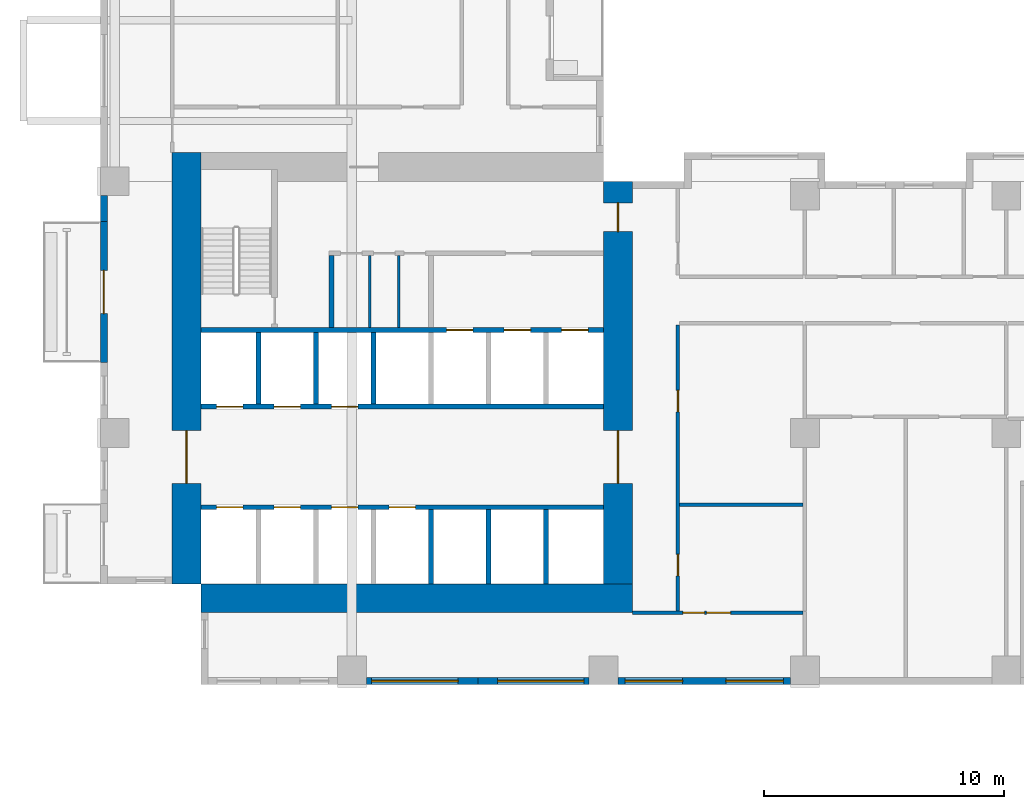
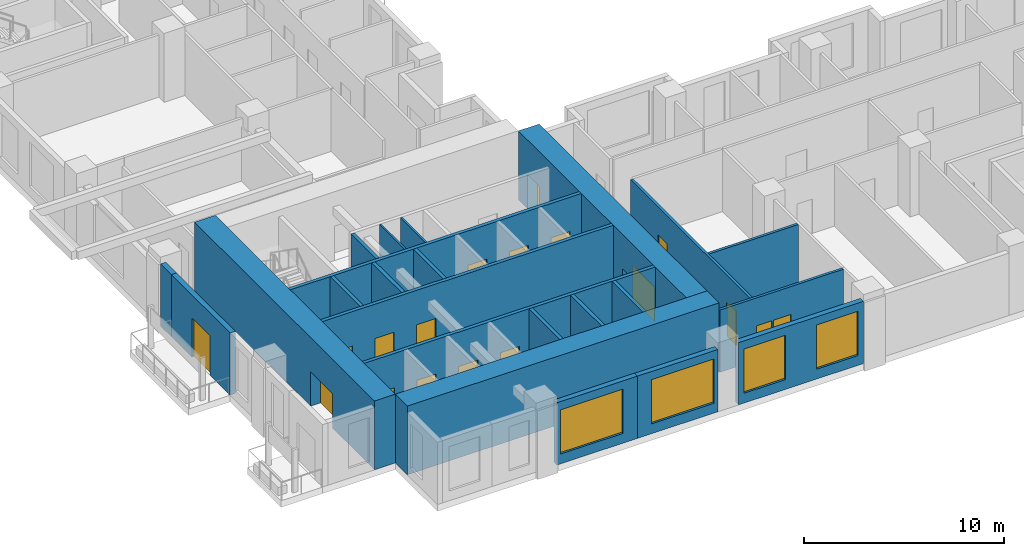
# One storey, part 2 of 14: 23 walls, 18 doors, 4 windows, 22 openings.
"""IFC4 building model written with IfcOpenShell, lengths in metres."""

from ifc_helpers import new_model, si_unit, direction, frame, frame_2d, origin, place, context, subcontext, project, spatial, rectangle, extrude, source, transform, mapped, material, layer, layer_set, type_object, element, fill, save


model = new_model("IFC4")

# Units and contexts
model_context = context("Model", 3, precision=1e-05, world=origin(), true_north=direction((0.0, 1.0)))
body_context = subcontext(model_context, "Body", "Model", "MODEL_VIEW")
ifc_project = project(units=[si_unit("LENGTHUNIT", "METRE"), si_unit("AREAUNIT", "SQUARE_METRE"), si_unit("VOLUMEUNIT", "CUBIC_METRE"), si_unit("PLANEANGLEUNIT", "RADIAN"), si_unit("MASSUNIT", "GRAM", prefix="KILO")], contexts=[model_context])

# Site, building, storey
site_placement = place(None, origin())
site = spatial("IfcSite", under=ifc_project, at=site_placement, CompositionType="ELEMENT")
building_placement = place(site_placement, origin())
building = spatial("IfcBuilding", under=site, at=building_placement, Name="Aurelian Terraces", CompositionType="ELEMENT")
storey_placement = place(building_placement, frame((0.0, 0.0, 40.5)))
storey = spatial("IfcBuildingStorey", under=building, at=storey_placement, Name="L07", CompositionType="ELEMENT", Elevation=40.5)

# Wall, opening, door
ifc_material_1 = material(Name="Concrete fc' 83 MPa", Category="concrete")
ifc_layer_1 = layer(ifc_material_1, 1.2)
ifc_layer_set_1 = layer_set([ifc_layer_1], Name="CORE WALL 1200 FC83")
wall_type_1 = type_object("IfcWallType", Name="CORE WALL 1200 FC83", PredefinedType="SHEAR", material=ifc_layer_set_1)
wall_1_placement = place(storey_placement, frame((3.6, 4.2, 0.0), z_axis=(0.0, 0.0, 1.0), x_axis=(0.0, 1.0, 0.0)))
wall_1 = element("IfcWall", 1, at=wall_1_placement, inside=storey, type_object=wall_type_1, Name="Core wall W L07", PredefinedType="SHEAR", context=body_context, shape_type="SweptSolid", body=[
    extrude(rectangle(XDim=18.0, YDim=1.2, at=frame_2d((9.0, 0.0))), origin(), (0.0, 0.0, 1.0), 4.2),
])
shared_shape_1 = source(origin(), body_context, "Body", "SweptSolid", [
    extrude(rectangle(XDim=2.2, YDim=2.1, at=frame_2d((1.1, 1.05))), frame((0.0, 0.61, 0.0), z_axis=(0.0, -1.0, 0.0), x_axis=(1.0, 0.0, 0.0)), (0.0, 0.0, 1.0), 1.22),
])
opening_1_placement = place(wall_1_placement, frame((4.2, 0.0, 0.0)))
opening_1 = element("IfcOpeningElement", 2, at=opening_1_placement, cuts=wall_1, Name="Opening 61022", PredefinedType="OPENING", context=body_context, shape_type="MappedRepresentation", body=[
    mapped(shared_shape_1, transform((0.0, 0.0, 0.0), scale=1.0)),
])
ifc_material_2 = material(Name="Steel door leaf", Category="steel")
door_type_1 = type_object("IfcDoorType", Name="Core double door 2200x2100", OperationType="DOUBLE_DOOR_SINGLE_SWING", PredefinedType="DOOR", material=ifc_material_2)
shared_shape_2 = source(origin(), body_context, "Body", "SweptSolid", [
    extrude(rectangle(XDim=2.2, YDim=2.1, at=frame_2d((1.1, 1.05))), frame((0.0, 0.025, 0.0), z_axis=(0.0, -1.0, 0.0), x_axis=(1.0, 0.0, 0.0)), (0.0, 0.0, 1.0), 0.05),
])
door_1_placement = place(opening_1_placement, origin())
door_1 = element("IfcDoor", 3, at=door_1_placement, inside=storey, type_object=door_type_1, Name="Core door 61022", OperationType="DOUBLE_DOOR_SINGLE_SWING", OverallHeight=2.1, OverallWidth=2.2, PredefinedType="DOOR", context=body_context, shape_type="MappedRepresentation", body=[
    mapped(shared_shape_2, transform((0.0, 0.0, 0.0), scale=1.0)),
])
fill(opening_1, door_1)

# Wall, openings, doors
wall_2_placement = place(storey_placement, frame((21.6, 4.2, 0.0), z_axis=(0.0, 0.0, 1.0), x_axis=(0.0, 1.0, 0.0)))
wall_2 = element("IfcWall", 4, at=wall_2_placement, inside=storey, type_object=wall_type_1, Name="Core wall E L07", PredefinedType="SHEAR", context=body_context, shape_type="SweptSolid", body=[
    extrude(rectangle(XDim=16.8, YDim=1.2, at=frame_2d((8.4, 0.0))), origin(), (0.0, 0.0, 1.0), 4.2),
])
opening_2_placement = place(wall_2_placement, frame((4.2, 0.0, 0.0)))
opening_2 = element("IfcOpeningElement", 5, at=opening_2_placement, cuts=wall_2, Name="Opening 61021", PredefinedType="OPENING", context=body_context, shape_type="MappedRepresentation", body=[
    mapped(shared_shape_1, transform((0.0, 0.0, 0.0), scale=1.0)),
])
shared_shape_3 = source(origin(), body_context, "Body", "SweptSolid", [
    extrude(rectangle(XDim=1.2, YDim=2.1, at=frame_2d((0.6, 1.05))), frame((0.0, 0.61, 0.0), z_axis=(0.0, -1.0, 0.0), x_axis=(1.0, 0.0, 0.0)), (0.0, 0.0, 1.0), 1.22),
])
opening_3_placement = place(wall_2_placement, frame((14.7, 0.0, 0.0)))
opening_3 = element("IfcOpeningElement", 6, at=opening_3_placement, cuts=wall_2, Name="Opening 61024", PredefinedType="OPENING", context=body_context, shape_type="MappedRepresentation", body=[
    mapped(shared_shape_3, transform((0.0, 0.0, 0.0), scale=1.0)),
])
door_type_2 = type_object("IfcDoorType", Name="Core fire door 1200x2100 right", OperationType="SINGLE_SWING_RIGHT", PredefinedType="DOOR", material=ifc_material_2)
shared_shape_4 = source(origin(), body_context, "Body", "SweptSolid", [
    extrude(rectangle(XDim=1.2, YDim=2.1, at=frame_2d((0.6, 1.05))), frame((0.0, 0.025, 0.0), z_axis=(0.0, -1.0, 0.0), x_axis=(1.0, 0.0, 0.0)), (0.0, 0.0, 1.0), 0.05),
])
door_2_placement = place(opening_3_placement, origin())
door_2 = element("IfcDoor", 7, at=door_2_placement, inside=storey, type_object=door_type_2, Name="Core door 61024", OperationType="SINGLE_SWING_RIGHT", OverallHeight=2.1, OverallWidth=1.2, PredefinedType="DOOR", context=body_context, shape_type="MappedRepresentation", body=[
    mapped(shared_shape_4, transform((0.0, 0.0, 0.0), scale=1.0)),
])
fill(opening_3, door_2)
door_3_placement = place(opening_2_placement, origin())
door_3 = element("IfcDoor", 8, at=door_3_placement, inside=storey, type_object=door_type_1, Name="Core door 61021", OperationType="DOUBLE_DOOR_SINGLE_SWING", OverallHeight=2.1, OverallWidth=2.2, PredefinedType="DOOR", context=body_context, shape_type="MappedRepresentation", body=[
    mapped(shared_shape_2, transform((0.0, 0.0, 0.0), scale=1.0)),
])
fill(opening_2, door_3)

# Walls
ifc_material_3 = material(Name="Gypsum board on steel studs", Category="steel")
ifc_layer_2 = layer(ifc_material_3, 0.1)
ifc_layer_set_2 = layer_set([ifc_layer_2], Name="Core partition 100")
wall_type_2 = type_object("IfcWallType", Name="Core partition 100", PredefinedType="PARTITIONING", material=ifc_layer_set_2)
wall_3_placement = place(storey_placement, frame((11.25, 14.9, 0.0), z_axis=(0.0, 0.0, 1.0), x_axis=(0.0, 1.0, 0.0)))
element("IfcWall", 9, at=wall_3_placement, inside=storey, type_object=wall_type_2, Name="L07 core wall CP-SV1", PredefinedType="PARTITIONING", context=body_context, shape_type="SweptSolid", body=[
    extrude(rectangle(XDim=3.0, YDim=0.1, at=frame_2d((1.5, 0.0))), origin(), (0.0, 0.0, 1.0), 3.8),
])
ifc_layer_3 = layer(ifc_material_3, 0.2)
ifc_layer_set_3 = layer_set([ifc_layer_3], Name="Core partition 200")
wall_type_3 = type_object("IfcWallType", Name="Core partition 200", PredefinedType="PARTITIONING", material=ifc_layer_set_3)
wall_4_placement = place(storey_placement, frame((9.65, 14.9, 0.0), z_axis=(0.0, 0.0, 1.0), x_axis=(0.0, 1.0, 0.0)))
element("IfcWall", 10, at=wall_4_placement, inside=storey, type_object=wall_type_3, Name="L07 core wall CP-VEST", PredefinedType="PARTITIONING", context=body_context, shape_type="SweptSolid", body=[
    extrude(rectangle(XDim=3.0, YDim=0.2, at=frame_2d((1.5, 0.0))), origin(), (0.0, 0.0, 1.0), 3.8),
])

# Wall, opening, window
ifc_material_4 = material(Name="Terracotta rainscreen cladding", Category="masonry")
ifc_layer_4 = layer(ifc_material_4, 0.3)
ifc_layer_set_4 = layer_set([ifc_layer_4], Name="EW-300")
wall_type_4 = type_object("IfcWallType", Name="EW-300", PredefinedType="STANDARD", material=ifc_layer_set_4)
wall_5_placement = place(storey_placement, frame((11.1, 0.15, 0.0), z_axis=(0.0, 0.0, 1.0), x_axis=(1.0, 0.0, 0.0)))
wall_5 = element("IfcWall", 11, at=wall_5_placement, inside=storey, type_object=wall_type_4, Name="External wall L07 F01.3", PredefinedType="STANDARD", context=body_context, shape_type="SweptSolid", body=[
    extrude(rectangle(XDim=4.65, YDim=0.3, at=frame_2d((2.325, 0.0))), origin(), (0.0, 0.0, 1.0), 3.8),
])
opening_4_placement = place(wall_5_placement, frame((0.225, 0.0, 0.6)))
opening_4 = element("IfcOpeningElement", 12, at=opening_4_placement, cuts=wall_5, Name="Opening W3627", PredefinedType="OPENING", context=body_context, shape_type="SweptSolid", body=[
    extrude(rectangle(XDim=3.6, YDim=2.7, at=frame_2d((1.8, 1.35))), frame((0.0, 0.16, 0.0), z_axis=(0.0, -1.0, 0.0), x_axis=(1.0, 0.0, 0.0)), (0.0, 0.0, 1.0), 0.32),
])
ifc_material_5 = material(Name="Clear glazing", Category="glass")
window_type_1 = type_object("IfcWindowType", Name="W-3600x2700", PartitioningType="SINGLE_PANEL", PredefinedType="WINDOW", material=ifc_material_5)
window_1_placement = place(opening_4_placement, origin())
window_1 = element("IfcWindow", 13, at=window_1_placement, inside=storey, type_object=window_type_1, Name="Window L07 L07-F01-03-0", OverallHeight=2.7, OverallWidth=3.6, PartitioningType="SINGLE_PANEL", PredefinedType="WINDOW", context=body_context, shape_type="SweptSolid", body=[
    extrude(rectangle(XDim=3.6, YDim=2.7, at=frame_2d((1.8, 1.35))), frame((0.0, 0.03, 0.0), z_axis=(0.0, -1.0, 0.0), x_axis=(1.0, 0.0, 0.0)), (0.0, 0.0, 1.0), 0.06),
])
fill(opening_4, window_1)

# Wall, openings, windows
wall_6_placement = place(storey_placement, frame((21.6, 0.15, 0.0), z_axis=(0.0, 0.0, 1.0), x_axis=(1.0, 0.0, 0.0)))
wall_6 = element("IfcWall", 14, at=wall_6_placement, inside=storey, type_object=wall_type_4, Name="External wall L07 F01.5", PredefinedType="STANDARD", context=body_context, shape_type="SweptSolid", body=[
    extrude(rectangle(XDim=7.2, YDim=0.3, at=frame_2d((3.6, 0.0))), origin(), (0.0, 0.0, 1.0), 3.8),
])
opening_5_placement = place(wall_6_placement, frame((0.3, 0.0, 0.6)))
opening_5 = element("IfcOpeningElement", 15, at=opening_5_placement, cuts=wall_6, Name="Opening W2427", PredefinedType="OPENING", context=body_context, shape_type="SweptSolid", body=[
    extrude(rectangle(XDim=2.4, YDim=2.7, at=frame_2d((1.2, 1.35))), frame((0.0, 0.16, 0.0), z_axis=(0.0, -1.0, 0.0), x_axis=(1.0, 0.0, 0.0)), (0.0, 0.0, 1.0), 0.32),
])
shared_shape_5 = source(origin(), body_context, "Body", "SweptSolid", [
    extrude(rectangle(XDim=2.4, YDim=2.7, at=frame_2d((1.2, 1.35))), frame((0.0, 0.16, 0.0), z_axis=(0.0, -1.0, 0.0), x_axis=(1.0, 0.0, 0.0)), (0.0, 0.0, 1.0), 0.32),
])
opening_6_placement = place(wall_6_placement, frame((4.5, 0.0, 0.6)))
opening_6 = element("IfcOpeningElement", 16, at=opening_6_placement, cuts=wall_6, Name="Opening W2427", PredefinedType="OPENING", context=body_context, shape_type="MappedRepresentation", body=[
    mapped(shared_shape_5, transform((0.0, 0.0, 0.0), scale=1.0)),
])
window_type_2 = type_object("IfcWindowType", Name="W-2400x2700", PartitioningType="SINGLE_PANEL", PredefinedType="WINDOW", material=ifc_material_5)
window_2_placement = place(opening_5_placement, origin())
window_2 = element("IfcWindow", 17, at=window_2_placement, inside=storey, type_object=window_type_2, Name="Window L07 L07-F01-05-0", OverallHeight=2.7, OverallWidth=2.4, PartitioningType="SINGLE_PANEL", PredefinedType="WINDOW", context=body_context, shape_type="SweptSolid", body=[
    extrude(rectangle(XDim=2.4, YDim=2.7, at=frame_2d((1.2, 1.35))), frame((0.0, 0.03, 0.0), z_axis=(0.0, -1.0, 0.0), x_axis=(1.0, 0.0, 0.0)), (0.0, 0.0, 1.0), 0.06),
])
fill(opening_5, window_2)
shared_shape_6 = source(origin(), body_context, "Body", "SweptSolid", [
    extrude(rectangle(XDim=2.4, YDim=2.7, at=frame_2d((1.2, 1.35))), frame((0.0, 0.03, 0.0), z_axis=(0.0, -1.0, 0.0), x_axis=(1.0, 0.0, 0.0)), (0.0, 0.0, 1.0), 0.06),
])
window_3_placement = place(opening_6_placement, origin())
window_3 = element("IfcWindow", 18, at=window_3_placement, inside=storey, type_object=window_type_2, Name="Window L07 L07-F01-05-1", OverallHeight=2.7, OverallWidth=2.4, PartitioningType="SINGLE_PANEL", PredefinedType="WINDOW", context=body_context, shape_type="MappedRepresentation", body=[
    mapped(shared_shape_6, transform((0.0, 0.0, 0.0), scale=1.0)),
])
fill(opening_6, window_3)

# Walls
wall_7_placement = place(storey_placement, frame((0.15, 20.4, 0.0), z_axis=(0.0, 0.0, 1.0), x_axis=(0.0, -1.0, 0.0)))
element("IfcWall", 19, at=wall_7_placement, inside=storey, type_object=wall_type_4, Name="External wall L07 F14.44", PredefinedType="STANDARD", context=body_context, shape_type="SweptSolid", body=[
    extrude(rectangle(XDim=1.08, YDim=0.3, at=frame_2d((0.54, 0.0))), origin(), (0.0, 0.0, 1.0), 3.8),
])
ifc_material_6 = material(Name="Concrete fc' 40 MPa", Category="concrete")
ifc_layer_5 = layer(ifc_material_6, 0.2)
ifc_layer_set_5 = layer_set([ifc_layer_5], Name="Lift shaft wall 200")
wall_type_5 = type_object("IfcWallType", Name="Lift shaft wall 200", PredefinedType="SOLIDWALL", material=ifc_layer_set_5)
wall_8_placement = place(storey_placement, frame((6.6, 11.7, 0.0), z_axis=(0.0, 0.0, 1.0), x_axis=(0.0, 1.0, 0.0)))
element("IfcWall", 20, at=wall_8_placement, inside=storey, type_object=wall_type_5, Name="L07 core wall CD-B1", PredefinedType="SOLIDWALL", context=body_context, shape_type="SweptSolid", body=[
    extrude(rectangle(XDim=3.0, YDim=0.2, at=frame_2d((1.5, 0.0))), origin(), (0.0, 0.0, 1.0), 4.2),
])

# Wall, openings, doors
wall_9_placement = place(storey_placement, frame((4.2, 7.4, 0.0), z_axis=(0.0, 0.0, 1.0), x_axis=(1.0, 0.0, 0.0)))
wall_9 = element("IfcWall", 21, at=wall_9_placement, inside=storey, type_object=wall_type_5, Name="L07 core wall CF-AF1", PredefinedType="SOLIDWALL", context=body_context, shape_type="SweptSolid", body=[
    extrude(rectangle(XDim=16.8, YDim=0.2, at=frame_2d((8.4, 0.0))), origin(), (0.0, 0.0, 1.0), 4.2),
])
shared_shape_7 = source(origin(), body_context, "Body", "SweptSolid", [
    extrude(rectangle(XDim=1.1, YDim=2.1, at=frame_2d((0.55, 1.05))), frame((0.0, 0.11, 0.0), z_axis=(0.0, -1.0, 0.0), x_axis=(1.0, 0.0, 0.0)), (0.0, 0.0, 1.0), 0.22),
])
opening_7_placement = place(wall_9_placement, frame((0.65, 0.0, 0.0)))
opening_7 = element("IfcOpeningElement", 22, at=opening_7_placement, cuts=wall_9, Name="Opening 61000", PredefinedType="OPENING", context=body_context, shape_type="MappedRepresentation", body=[
    mapped(shared_shape_7, transform((0.0, 0.0, 0.0), scale=1.0)),
])
opening_8_placement = place(wall_9_placement, frame((3.05, 0.0, 0.0)))
opening_8 = element("IfcOpeningElement", 23, at=opening_8_placement, cuts=wall_9, Name="Opening 61001", PredefinedType="OPENING", context=body_context, shape_type="MappedRepresentation", body=[
    mapped(shared_shape_7, transform((0.0, 0.0, 0.0), scale=1.0)),
])
opening_9_placement = place(wall_9_placement, frame((5.45, 0.0, 0.0)))
opening_9 = element("IfcOpeningElement", 24, at=opening_9_placement, cuts=wall_9, Name="Opening 61002", PredefinedType="OPENING", context=body_context, shape_type="MappedRepresentation", body=[
    mapped(shared_shape_7, transform((0.0, 0.0, 0.0), scale=1.0)),
])
opening_10_placement = place(wall_9_placement, frame((7.85, 0.0, 0.0)))
opening_10 = element("IfcOpeningElement", 25, at=opening_10_placement, cuts=wall_9, Name="Opening 61003", PredefinedType="OPENING", context=body_context, shape_type="MappedRepresentation", body=[
    mapped(shared_shape_7, transform((0.0, 0.0, 0.0), scale=1.0)),
])
ifc_material_7 = material(Name="Stainless steel", Category="steel")
door_type_3 = type_object("IfcDoorType", Name="Lift landing door 1100x2100", OperationType="SLIDING_TO_LEFT", PredefinedType="DOOR", material=ifc_material_7)
shared_shape_8 = source(origin(), body_context, "Body", "SweptSolid", [
    extrude(rectangle(XDim=1.1, YDim=2.1, at=frame_2d((0.55, 1.05))), frame((0.0, 0.025, 0.0), z_axis=(0.0, -1.0, 0.0), x_axis=(1.0, 0.0, 0.0)), (0.0, 0.0, 1.0), 0.05),
])
door_4_placement = place(opening_7_placement, origin())
door_4 = element("IfcDoor", 26, at=door_4_placement, inside=storey, type_object=door_type_3, Name="Lift landing door LL1 L07", OperationType="SLIDING_TO_LEFT", OverallHeight=2.1, OverallWidth=1.1, PredefinedType="DOOR", context=body_context, shape_type="MappedRepresentation", body=[
    mapped(shared_shape_8, transform((0.0, 0.0, 0.0), scale=1.0)),
])
fill(opening_7, door_4)
door_5_placement = place(opening_8_placement, origin())
door_5 = element("IfcDoor", 27, at=door_5_placement, inside=storey, type_object=door_type_3, Name="Lift landing door LL2 L07", OperationType="SLIDING_TO_LEFT", OverallHeight=2.1, OverallWidth=1.1, PredefinedType="DOOR", context=body_context, shape_type="MappedRepresentation", body=[
    mapped(shared_shape_8, transform((0.0, 0.0, 0.0), scale=1.0)),
])
fill(opening_8, door_5)
door_6_placement = place(opening_9_placement, origin())
door_6 = element("IfcDoor", 28, at=door_6_placement, inside=storey, type_object=door_type_3, Name="Lift landing door LL3 L07", OperationType="SLIDING_TO_LEFT", OverallHeight=2.1, OverallWidth=1.1, PredefinedType="DOOR", context=body_context, shape_type="MappedRepresentation", body=[
    mapped(shared_shape_8, transform((0.0, 0.0, 0.0), scale=1.0)),
])
fill(opening_9, door_6)
door_7_placement = place(opening_10_placement, origin())
door_7 = element("IfcDoor", 29, at=door_7_placement, inside=storey, type_object=door_type_3, Name="Lift landing door LL4 L07", OperationType="SLIDING_TO_LEFT", OverallHeight=2.1, OverallWidth=1.1, PredefinedType="DOOR", context=body_context, shape_type="MappedRepresentation", body=[
    mapped(shared_shape_8, transform((0.0, 0.0, 0.0), scale=1.0)),
])
fill(opening_10, door_7)

ifc_layer_6 = layer(ifc_material_3, 0.15)
ifc_layer_set_6 = layer_set([ifc_layer_6], Name="Partition 150")
wall_type_6 = type_object("IfcWallType", Name="Partition 150", PredefinedType="PARTITIONING", material=ifc_layer_set_6)
wall_10_placement = place(storey_placement, frame((24.1, 15.0, 0.0), z_axis=(0.0, 0.0, 1.0), x_axis=(0.0, -1.0, 0.0)))
wall_10 = element("IfcWall", 30, at=wall_10_placement, inside=storey, type_object=wall_type_6, Name="Partition", PredefinedType="PARTITIONING", context=body_context, shape_type="SweptSolid", body=[
    extrude(rectangle(XDim=11.925, YDim=0.15, at=frame_2d((5.9625, 0.0))), origin(), (0.0, 0.0, 1.0), 3.8),
])
opening_11_placement = place(wall_10_placement, frame((9.5625, 0.0, 0.0)))
opening_11 = element("IfcOpeningElement", 31, at=opening_11_placement, cuts=wall_10, Name="Opening 707001", PredefinedType="OPENING", context=body_context, shape_type="SweptSolid", body=[
    extrude(rectangle(XDim=0.9, YDim=2.1, at=frame_2d((0.45, 1.05))), frame((0.0, 0.085, 0.0), z_axis=(0.0, -1.0, 0.0), x_axis=(1.0, 0.0, 0.0)), (0.0, 0.0, 1.0), 0.17),
])
shared_shape_9 = source(origin(), body_context, "Body", "SweptSolid", [
    extrude(rectangle(XDim=0.9, YDim=2.1, at=frame_2d((0.45, 1.05))), frame((0.0, 0.085, 0.0), z_axis=(0.0, -1.0, 0.0), x_axis=(1.0, 0.0, 0.0)), (0.0, 0.0, 1.0), 0.17),
])
opening_12_placement = place(wall_10_placement, frame((2.725, 0.0, 0.0)))
opening_12 = element("IfcOpeningElement", 32, at=opening_12_placement, cuts=wall_10, Name="Opening 707002", PredefinedType="OPENING", context=body_context, shape_type="MappedRepresentation", body=[
    mapped(shared_shape_9, transform((0.0, 0.0, 0.0), scale=1.0)),
])
ifc_material_8 = material(Name="Timber door leaf", Category="wood")
door_type_4 = type_object("IfcDoorType", Name="Room door 900x2100 left", OperationType="SINGLE_SWING_LEFT", PredefinedType="DOOR", material=ifc_material_8)
shared_shape_10 = source(origin(), body_context, "Body", "SweptSolid", [
    extrude(rectangle(XDim=0.9, YDim=2.1, at=frame_2d((0.45, 1.05))), frame((0.0, 0.025, 0.0), z_axis=(0.0, -1.0, 0.0), x_axis=(1.0, 0.0, 0.0)), (0.0, 0.0, 1.0), 0.05),
])
door_8_placement = place(opening_11_placement, origin())
door_8 = element("IfcDoor", 33, at=door_8_placement, inside=storey, type_object=door_type_4, Name="Door 707001", OperationType="SINGLE_SWING_LEFT", OverallHeight=2.1, OverallWidth=0.9, PredefinedType="DOOR", context=body_context, shape_type="MappedRepresentation", body=[
    mapped(shared_shape_10, transform((0.0, 0.0, 0.0), scale=1.0)),
])
fill(opening_11, door_8)
door_type_5 = type_object("IfcDoorType", Name="Room door 900x2100 right", OperationType="SINGLE_SWING_RIGHT", PredefinedType="DOOR", material=ifc_material_8)
door_9_placement = place(opening_12_placement, origin())
door_9 = element("IfcDoor", 34, at=door_9_placement, inside=storey, type_object=door_type_5, Name="Door 707002", OperationType="SINGLE_SWING_RIGHT", OverallHeight=2.1, OverallWidth=0.9, PredefinedType="DOOR", context=body_context, shape_type="MappedRepresentation", body=[
    mapped(shared_shape_10, transform((0.0, 0.0, 0.0), scale=1.0)),
])
fill(opening_12, door_9)

# Wall
wall_11_placement = place(storey_placement, frame((29.325, 7.5, 0.0), z_axis=(0.0, 0.0, 1.0), x_axis=(-1.0, 0.0, 0.0)))
element("IfcWall", 35, at=wall_11_placement, inside=storey, type_object=wall_type_6, Name="Partition", PredefinedType="PARTITIONING", context=body_context, shape_type="SweptSolid", body=[
    extrude(rectangle(XDim=5.15, YDim=0.15, at=frame_2d((2.575, 0.0))), origin(), (0.0, 0.0, 1.0), 3.8),
])

# Wall, openings, doors
wall_12_placement = place(storey_placement, frame((22.2, 3.0, 0.0), z_axis=(0.0, 0.0, 1.0), x_axis=(1.0, 0.0, 0.0)))
wall_12 = element("IfcWall", 36, at=wall_12_placement, inside=storey, type_object=wall_type_6, Name="Partition", PredefinedType="PARTITIONING", context=body_context, shape_type="SweptSolid", body=[
    extrude(rectangle(XDim=7.125, YDim=0.15, at=frame_2d((3.5625, 0.0))), origin(), (0.0, 0.0, 1.0), 3.8),
])
opening_13_placement = place(wall_12_placement, frame((3.1, 0.0, 0.0)))
opening_13 = element("IfcOpeningElement", 37, at=opening_13_placement, cuts=wall_12, Name="Opening 707004", PredefinedType="OPENING", context=body_context, shape_type="SweptSolid", body=[
    extrude(rectangle(XDim=1.0, YDim=2.1, at=frame_2d((0.5, 1.05))), frame((0.0, 0.085, 0.0), z_axis=(0.0, -1.0, 0.0), x_axis=(1.0, 0.0, 0.0)), (0.0, 0.0, 1.0), 0.17),
])
opening_14_placement = place(wall_12_placement, frame((2.112, 0.0, 0.0)))
opening_14 = element("IfcOpeningElement", 38, at=opening_14_placement, cuts=wall_12, Name="Opening 707055", PredefinedType="OPENING", context=body_context, shape_type="MappedRepresentation", body=[
    mapped(shared_shape_9, transform((0.0, 0.0, 0.0), scale=1.0)),
])
door_type_6 = type_object("IfcDoorType", Name="Room door 1000x2100 right", OperationType="SINGLE_SWING_RIGHT", PredefinedType="DOOR", material=ifc_material_8)
shared_shape_11 = source(origin(), body_context, "Body", "SweptSolid", [
    extrude(rectangle(XDim=1.0, YDim=2.1, at=frame_2d((0.5, 1.05))), frame((0.0, 0.025, 0.0), z_axis=(0.0, -1.0, 0.0), x_axis=(1.0, 0.0, 0.0)), (0.0, 0.0, 1.0), 0.05),
])
door_10_placement = place(opening_13_placement, origin())
door_10 = element("IfcDoor", 39, at=door_10_placement, inside=storey, type_object=door_type_6, Name="Door 707004", OperationType="SINGLE_SWING_RIGHT", OverallHeight=2.1, OverallWidth=1.0, PredefinedType="DOOR", context=body_context, shape_type="MappedRepresentation", body=[
    mapped(shared_shape_11, transform((0.0, 0.0, 0.0), scale=1.0)),
])
fill(opening_13, door_10)
door_11_placement = place(opening_14_placement, origin())
door_11 = element("IfcDoor", 40, at=door_11_placement, inside=storey, type_object=door_type_4, Name="Door 707055", OperationType="SINGLE_SWING_LEFT", OverallHeight=2.1, OverallWidth=0.9, PredefinedType="DOOR", context=body_context, shape_type="MappedRepresentation", body=[
    mapped(shared_shape_10, transform((0.0, 0.0, 0.0), scale=1.0)),
])
fill(opening_14, door_11)

# Wall
shared_shape_12 = source(origin(), body_context, "Body", "SweptSolid", [
    extrude(rectangle(XDim=18.0, YDim=1.2, at=frame_2d((9.0, 0.0))), origin(), (0.0, 0.0, 1.0), 4.2),
])
wall_13_placement = place(storey_placement, frame((4.2, 3.6, 0.0), z_axis=(0.0, 0.0, 1.0), x_axis=(1.0, 0.0, 0.0)))
element("IfcWall", 41, at=wall_13_placement, inside=storey, type_object=wall_type_1, Name="Core wall S L07", PredefinedType="SHEAR", context=body_context, shape_type="MappedRepresentation", body=[
    mapped(shared_shape_12, transform((0.0, 0.0, 0.0), scale=1.0)),
])

# Wall, opening, window
shared_shape_13 = source(origin(), body_context, "Body", "SweptSolid", [
    extrude(rectangle(XDim=4.65, YDim=0.3, at=frame_2d((2.325, 0.0))), origin(), (0.0, 0.0, 1.0), 3.8),
])
wall_14_placement = place(storey_placement, frame((15.75, 0.15, 0.0), z_axis=(0.0, 0.0, 1.0), x_axis=(1.0, 0.0, 0.0)))
wall_14 = element("IfcWall", 42, at=wall_14_placement, inside=storey, type_object=wall_type_4, Name="External wall L07 F01.4", PredefinedType="STANDARD", context=body_context, shape_type="MappedRepresentation", body=[
    mapped(shared_shape_13, transform((0.0, 0.0, 0.0), scale=1.0)),
])
shared_shape_14 = source(origin(), body_context, "Body", "SweptSolid", [
    extrude(rectangle(XDim=3.6, YDim=2.7, at=frame_2d((1.8, 1.35))), frame((0.0, 0.16, 0.0), z_axis=(0.0, -1.0, 0.0), x_axis=(1.0, 0.0, 0.0)), (0.0, 0.0, 1.0), 0.32),
])
opening_15_placement = place(wall_14_placement, frame((0.825, 0.0, 0.6)))
opening_15 = element("IfcOpeningElement", 43, at=opening_15_placement, cuts=wall_14, Name="Opening W3627", PredefinedType="OPENING", context=body_context, shape_type="MappedRepresentation", body=[
    mapped(shared_shape_14, transform((0.0, 0.0, 0.0), scale=1.0)),
])
shared_shape_15 = source(origin(), body_context, "Body", "SweptSolid", [
    extrude(rectangle(XDim=3.6, YDim=2.7, at=frame_2d((1.8, 1.35))), frame((0.0, 0.03, 0.0), z_axis=(0.0, -1.0, 0.0), x_axis=(1.0, 0.0, 0.0)), (0.0, 0.0, 1.0), 0.06),
])
window_4_placement = place(opening_15_placement, origin())
window_4 = element("IfcWindow", 44, at=window_4_placement, inside=storey, type_object=window_type_1, Name="Window L07 L07-F01-04-0", OverallHeight=2.7, OverallWidth=3.6, PartitioningType="SINGLE_PANEL", PredefinedType="WINDOW", context=body_context, shape_type="MappedRepresentation", body=[
    mapped(shared_shape_15, transform((0.0, 0.0, 0.0), scale=1.0)),
])
fill(opening_15, window_4)

# Wall, opening, door
shared_shape_16 = source(origin(), body_context, "Body", "SweptSolid", [
    extrude(rectangle(XDim=5.88, YDim=0.3, at=frame_2d((2.94, 0.0))), origin(), (0.0, 0.0, 1.0), 3.8),
])
wall_15_placement = place(storey_placement, frame((0.15, 19.32, 0.0), z_axis=(0.0, 0.0, 1.0), x_axis=(0.0, -1.0, 0.0)))
wall_15 = element("IfcWall", 45, at=wall_15_placement, inside=storey, type_object=wall_type_4, Name="External wall L07 F14.45", PredefinedType="STANDARD", context=body_context, shape_type="MappedRepresentation", body=[
    mapped(shared_shape_16, transform((0.0, 0.0, 0.0), scale=1.0)),
])
shared_shape_17 = source(origin(), body_context, "Body", "SweptSolid", [
    extrude(rectangle(XDim=1.8, YDim=2.4, at=frame_2d((0.9, 1.2))), frame((0.0, 0.16, 0.0), z_axis=(0.0, -1.0, 0.0), x_axis=(1.0, 0.0, 0.0)), (0.0, 0.0, 1.0), 0.32),
])
opening_16_placement = place(wall_15_placement, frame((2.04, 0.0, 0.0)))
opening_16 = element("IfcOpeningElement", 46, at=opening_16_placement, cuts=wall_15, Name="Opening 80704", PredefinedType="OPENING", context=body_context, shape_type="MappedRepresentation", body=[
    mapped(shared_shape_17, transform((0.0, 0.0, 0.0), scale=1.0)),
])
door_type_7 = type_object("IfcDoorType", Name="BD-1800x2400", OperationType="SLIDING_TO_LEFT", PredefinedType="DOOR", material=ifc_material_5)
shared_shape_18 = source(origin(), body_context, "Body", "SweptSolid", [
    extrude(rectangle(XDim=1.8, YDim=2.4, at=frame_2d((0.9, 1.2))), frame((0.0, 0.025, 0.0), z_axis=(0.0, -1.0, 0.0), x_axis=(1.0, 0.0, 0.0)), (0.0, 0.0, 1.0), 0.05),
])
door_12_placement = place(opening_16_placement, origin())
door_12 = element("IfcDoor", 47, at=door_12_placement, inside=storey, type_object=door_type_7, Name="Balcony door L07 F14.45", OperationType="SLIDING_TO_LEFT", OverallHeight=2.4, OverallWidth=1.8, PredefinedType="DOOR", context=body_context, shape_type="MappedRepresentation", body=[
    mapped(shared_shape_18, transform((0.0, 0.0, 0.0), scale=1.0)),
])
fill(opening_16, door_12)

# Walls
shared_shape_19 = source(origin(), body_context, "Body", "SweptSolid", [
    extrude(rectangle(XDim=3.1, YDim=0.2, at=frame_2d((1.55, 0.0))), origin(), (0.0, 0.0, 1.0), 4.2),
])
for number, where, z_axis, x_axis, name in (
    (48, (13.8, 4.2, 0.0), (0.0, 0.0, 1.0), (0.0, 1.0, 0.0), "L07 core wall CD-A4"),
    (49, (16.2, 4.2, 0.0), (0.0, 0.0, 1.0), (0.0, 1.0, 0.0), "L07 core wall CD-A5"),
    (50, (18.6, 4.2, 0.0), (0.0, 0.0, 1.0), (0.0, 1.0, 0.0), "L07 core wall CD-A6"),
):
    element("IfcWall", number, at=place(storey_placement, frame(where, z_axis=z_axis, x_axis=x_axis)), inside=storey, type_object=wall_type_5, Name=name, PredefinedType="SOLIDWALL", context=body_context, shape_type="MappedRepresentation", body=[
        mapped(shared_shape_19, transform((0.0, 0.0, 0.0), scale=1.0)),
    ])
shared_shape_20 = source(origin(), body_context, "Body", "SweptSolid", [
    extrude(rectangle(XDim=3.0, YDim=0.2, at=frame_2d((1.5, 0.0))), origin(), (0.0, 0.0, 1.0), 4.2),
])
for number, where, z_axis, x_axis, name in (
    (51, (9.0, 11.7, 0.0), (0.0, 0.0, 1.0), (0.0, 1.0, 0.0), "L07 core wall CD-B2"),
    (52, (11.4, 11.7, 0.0), (0.0, 0.0, 1.0), (0.0, 1.0, 0.0), "L07 core wall CD-B3"),
):
    element("IfcWall", number, at=place(storey_placement, frame(where, z_axis=z_axis, x_axis=x_axis)), inside=storey, type_object=wall_type_5, Name=name, PredefinedType="SOLIDWALL", context=body_context, shape_type="MappedRepresentation", body=[
        mapped(shared_shape_20, transform((0.0, 0.0, 0.0), scale=1.0)),
    ])

# Wall, openings, doors
shared_shape_21 = source(origin(), body_context, "Body", "SweptSolid", [
    extrude(rectangle(XDim=16.8, YDim=0.2, at=frame_2d((8.4, 0.0))), origin(), (0.0, 0.0, 1.0), 4.2),
])
wall_16_placement = place(storey_placement, frame((4.2, 11.6, 0.0), z_axis=(0.0, 0.0, 1.0), x_axis=(1.0, 0.0, 0.0)))
wall_16 = element("IfcWall", 53, at=wall_16_placement, inside=storey, type_object=wall_type_5, Name="L07 core wall CF-BF1", PredefinedType="SOLIDWALL", context=body_context, shape_type="MappedRepresentation", body=[
    mapped(shared_shape_21, transform((0.0, 0.0, 0.0), scale=1.0)),
])
opening_17_placement = place(wall_16_placement, frame((0.65, 0.0, 0.0)))
opening_17 = element("IfcOpeningElement", 54, at=opening_17_placement, cuts=wall_16, Name="Opening 61004", PredefinedType="OPENING", context=body_context, shape_type="MappedRepresentation", body=[
    mapped(shared_shape_7, transform((0.0, 0.0, 0.0), scale=1.0)),
])
opening_18_placement = place(wall_16_placement, frame((3.05, 0.0, 0.0)))
opening_18 = element("IfcOpeningElement", 55, at=opening_18_placement, cuts=wall_16, Name="Opening 61005", PredefinedType="OPENING", context=body_context, shape_type="MappedRepresentation", body=[
    mapped(shared_shape_7, transform((0.0, 0.0, 0.0), scale=1.0)),
])
opening_19_placement = place(wall_16_placement, frame((5.45, 0.0, 0.0)))
opening_19 = element("IfcOpeningElement", 56, at=opening_19_placement, cuts=wall_16, Name="Opening 61006", PredefinedType="OPENING", context=body_context, shape_type="MappedRepresentation", body=[
    mapped(shared_shape_7, transform((0.0, 0.0, 0.0), scale=1.0)),
])
door_13_placement = place(opening_17_placement, origin())
door_13 = element("IfcDoor", 57, at=door_13_placement, inside=storey, type_object=door_type_3, Name="Lift landing door LL5 L07", OperationType="SLIDING_TO_LEFT", OverallHeight=2.1, OverallWidth=1.1, PredefinedType="DOOR", context=body_context, shape_type="MappedRepresentation", body=[
    mapped(shared_shape_8, transform((0.0, 0.0, 0.0), scale=1.0)),
])
fill(opening_17, door_13)
door_14_placement = place(opening_18_placement, origin())
door_14 = element("IfcDoor", 58, at=door_14_placement, inside=storey, type_object=door_type_3, Name="Lift landing door LL6 L07", OperationType="SLIDING_TO_LEFT", OverallHeight=2.1, OverallWidth=1.1, PredefinedType="DOOR", context=body_context, shape_type="MappedRepresentation", body=[
    mapped(shared_shape_8, transform((0.0, 0.0, 0.0), scale=1.0)),
])
fill(opening_18, door_14)
door_15_placement = place(opening_19_placement, origin())
door_15 = element("IfcDoor", 59, at=door_15_placement, inside=storey, type_object=door_type_3, Name="Lift landing door LL7 L07", OperationType="SLIDING_TO_LEFT", OverallHeight=2.1, OverallWidth=1.1, PredefinedType="DOOR", context=body_context, shape_type="MappedRepresentation", body=[
    mapped(shared_shape_8, transform((0.0, 0.0, 0.0), scale=1.0)),
])
fill(opening_19, door_15)

wall_17_placement = place(storey_placement, frame((4.2, 14.8, 0.0), z_axis=(0.0, 0.0, 1.0), x_axis=(1.0, 0.0, 0.0)))
wall_17 = element("IfcWall", 60, at=wall_17_placement, inside=storey, type_object=wall_type_5, Name="L07 core wall CF-BB1", PredefinedType="SOLIDWALL", context=body_context, shape_type="MappedRepresentation", body=[
    mapped(shared_shape_21, transform((0.0, 0.0, 0.0), scale=1.0)),
])
opening_20_placement = place(wall_17_placement, frame((10.25, 0.0, 0.0)))
opening_20 = element("IfcOpeningElement", 61, at=opening_20_placement, cuts=wall_17, Name="Opening 61007", PredefinedType="OPENING", context=body_context, shape_type="MappedRepresentation", body=[
    mapped(shared_shape_7, transform((0.0, 0.0, 0.0), scale=1.0)),
])
opening_21_placement = place(wall_17_placement, frame((12.65, 0.0, 0.0)))
opening_21 = element("IfcOpeningElement", 62, at=opening_21_placement, cuts=wall_17, Name="Opening 61008", PredefinedType="OPENING", context=body_context, shape_type="MappedRepresentation", body=[
    mapped(shared_shape_7, transform((0.0, 0.0, 0.0), scale=1.0)),
])
opening_22_placement = place(wall_17_placement, frame((15.05, 0.0, 0.0)))
opening_22 = element("IfcOpeningElement", 63, at=opening_22_placement, cuts=wall_17, Name="Opening 61009", PredefinedType="OPENING", context=body_context, shape_type="MappedRepresentation", body=[
    mapped(shared_shape_7, transform((0.0, 0.0, 0.0), scale=1.0)),
])
door_16_placement = place(opening_20_placement, origin())
door_16 = element("IfcDoor", 64, at=door_16_placement, inside=storey, type_object=door_type_3, Name="Lift landing door F1 L07", OperationType="SLIDING_TO_LEFT", OverallHeight=2.1, OverallWidth=1.1, PredefinedType="DOOR", context=body_context, shape_type="MappedRepresentation", body=[
    mapped(shared_shape_8, transform((0.0, 0.0, 0.0), scale=1.0)),
])
fill(opening_20, door_16)
door_17_placement = place(opening_21_placement, origin())
door_17 = element("IfcDoor", 65, at=door_17_placement, inside=storey, type_object=door_type_3, Name="Lift landing door F2 L07", OperationType="SLIDING_TO_LEFT", OverallHeight=2.1, OverallWidth=1.1, PredefinedType="DOOR", context=body_context, shape_type="MappedRepresentation", body=[
    mapped(shared_shape_8, transform((0.0, 0.0, 0.0), scale=1.0)),
])
fill(opening_21, door_17)
door_18_placement = place(opening_22_placement, origin())
door_18 = element("IfcDoor", 66, at=door_18_placement, inside=storey, type_object=door_type_3, Name="Lift landing door F3 L07", OperationType="SLIDING_TO_LEFT", OverallHeight=2.1, OverallWidth=1.1, PredefinedType="DOOR", context=body_context, shape_type="MappedRepresentation", body=[
    mapped(shared_shape_8, transform((0.0, 0.0, 0.0), scale=1.0)),
])
fill(opening_22, door_18)

# Wall
shared_shape_22 = source(origin(), body_context, "Body", "SweptSolid", [
    extrude(rectangle(XDim=3.0, YDim=0.1, at=frame_2d((1.5, 0.0))), origin(), (0.0, 0.0, 1.0), 3.8),
])
wall_18_placement = place(storey_placement, frame((12.45, 14.9, 0.0), z_axis=(0.0, 0.0, 1.0), x_axis=(0.0, 1.0, 0.0)))
element("IfcWall", 67, at=wall_18_placement, inside=storey, type_object=wall_type_2, Name="L07 core wall CP-SV2", PredefinedType="PARTITIONING", context=body_context, shape_type="MappedRepresentation", body=[
    mapped(shared_shape_22, transform((0.0, 0.0, 0.0), scale=1.0)),
])

save(model, "model.ifc")
